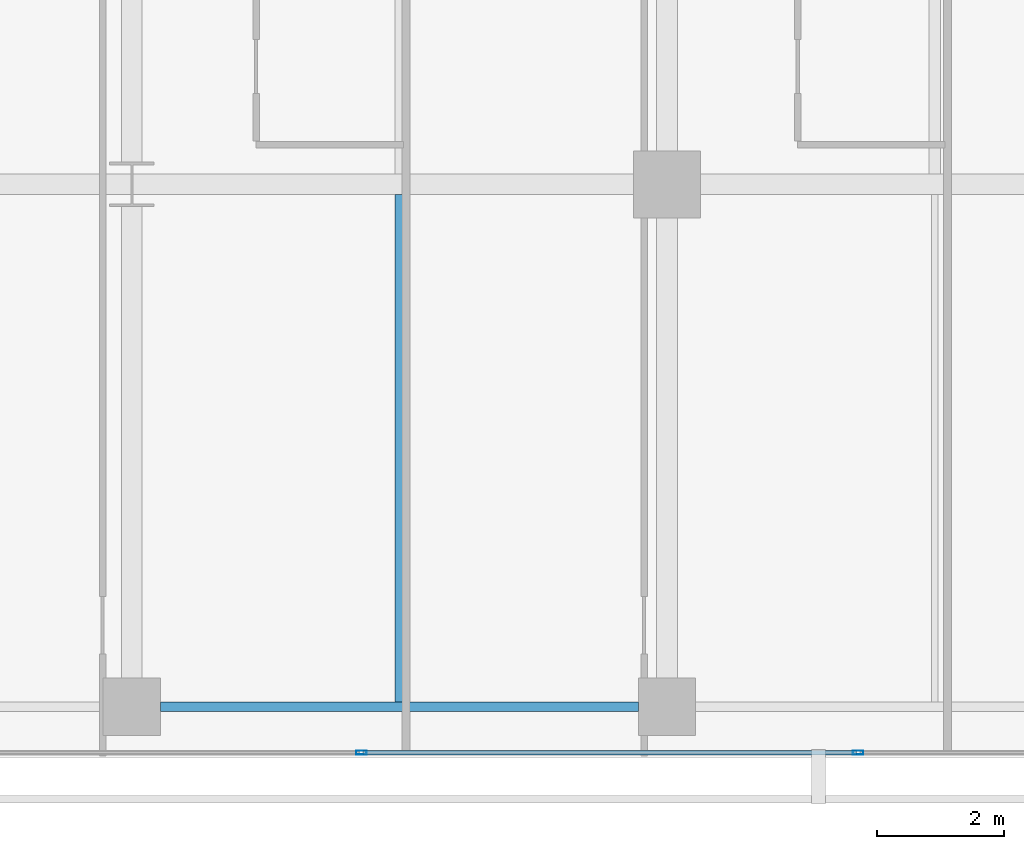
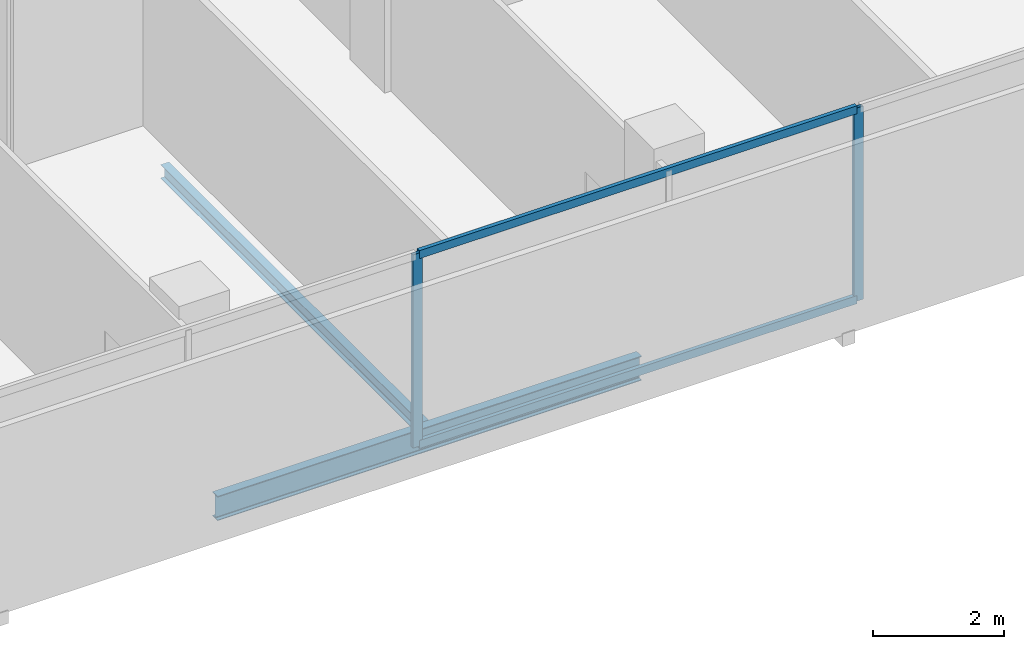
# One storey, part 14 of 40: 4 members, 2 beams, 1 element without a shape of its own.
"""IFC4 building model written with IfcOpenShell, lengths in metres."""

from ifc_helpers import new_model, si_unit, direction, frame, origin, origin_2d, place, context, subcontext, project, spatial, hollow_rectangle, i_section, extrude, material, layer, layer_set, material_profile, profile_set, type_object, element, aggregate, save


model = new_model("IFC4")

# Units and contexts
model_context = context("Model", 3, precision=1e-05, world=origin(), true_north=direction((0.0, 1.0)))
body_context = subcontext(model_context, "Body", "Model", "MODEL_VIEW")
ifc_project = project(units=[si_unit("LENGTHUNIT", "METRE"), si_unit("AREAUNIT", "SQUARE_METRE"), si_unit("VOLUMEUNIT", "CUBIC_METRE"), si_unit("PLANEANGLEUNIT", "RADIAN"), si_unit("MASSUNIT", "GRAM", prefix="KILO")], contexts=[model_context])

# Site, building, storey
site_placement = place(None, origin())
site = spatial("IfcSite", under=ifc_project, at=site_placement, CompositionType="ELEMENT")
building_placement = place(site_placement, origin())
building = spatial("IfcBuilding", under=site, at=building_placement, Name="Maruvema Waterfront Hotel and Observation Tower", CompositionType="ELEMENT")
storey_placement = place(building_placement, frame((0.0, 0.0, 96.25)))
storey = spatial("IfcBuildingStorey", under=building, at=storey_placement, Name="L23", CompositionType="ELEMENT", Elevation=96.25)

# Curtain wall, members
ifc_material_1 = material(Name="Anodised bronze aluminium and solar-control low-E IGU", Category="aluminium")
ifc_layer = layer(ifc_material_1, 0.159912109375, Name="Zone 1 Bronze Inner Thermal Curtain Wall System CW-02")
ifc_layer_set = layer_set([ifc_layer], Name="Anodised bronze aluminium and solar-control low-E IGU")
curtain_wall_type = type_object("IfcCurtainWallType", Name="Zone 1 Bronze Inner Thermal Curtain Wall System CW-02", PredefinedType="USERDEFINED", material=ifc_layer_set)
curtain_wall_placement = place(storey_placement, origin())
curtain_wall = element("IfcCurtainWall", 1, at=curtain_wall_placement, inside=storey, type_object=curtain_wall_type, Name="L23 Curtain Wall CW-L23-S", ObjectType="UNITISED CURTAIN WALL", PredefinedType="USERDEFINED")
ifc_material_2 = material(Name="Anodised architectural bronze aluminium", Category="aluminium")
ifc_material_profile_1 = material_profile(ifc_material_2, hollow_rectangle(XDim=0.070068359375, YDim=0.14990234375, WallThickness=0.00390625, at=origin_2d()), Name="ALU-T70x150")
ifc_profile_set_1 = profile_set([ifc_material_profile_1], Name="Anodised architectural bronze aluminium")
member_type_1 = type_object("IfcMemberType", Name="Curtain Wall Horizontal Transom ALU-T70x150", PredefinedType="USERDEFINED", material=ifc_profile_set_1)
member_1_placement = place(storey_placement, frame((45.6298828125, 0.080078125, 0.030029296875), z_axis=(1.0, 0.0, 0.0), x_axis=(0.0, 1.0, 0.0)))
member_1 = element("IfcMember", 2, at=member_1_placement, type_object=member_type_1, Name="CW-02 transom 5.1", ObjectType="TRANSOM", PredefinedType="USERDEFINED", context=body_context, shape_type="SweptSolid", body=[
    extrude(hollow_rectangle(XDim=0.070068359375, YDim=0.14990234375, WallThickness=0.00390625, at=origin_2d()), origin(), (0.0, 0.0, 1.0), 7.740234375),
])
member_2_placement = place(storey_placement, frame((45.6298828125, 0.080078125, 3.580078125), z_axis=(1.0, 0.0, 0.0), x_axis=(0.0, 1.0, 0.0)))
member_2 = element("IfcMember", 3, at=member_2_placement, type_object=member_type_1, Name="CW-02 transom 5.2", ObjectType="TRANSOM", PredefinedType="USERDEFINED", context=body_context, shape_type="SweptSolid", body=[
    extrude(hollow_rectangle(XDim=0.070068359375, YDim=0.14990234375, WallThickness=0.00390625, at=origin_2d()), origin(), (0.0, 0.0, 1.0), 7.740234375),
])
ifc_material_3 = material(Name="Anodised architectural bronze aluminium", Category="aluminium")
ifc_material_profile_2 = material_profile(ifc_material_3, hollow_rectangle(XDim=0.06494140625, YDim=0.1650390625, WallThickness=0.00390625, at=origin_2d()), Name="ALU-M65x165")
ifc_profile_set_2 = profile_set([ifc_material_profile_2], Name="Anodised architectural bronze aluminium")
member_type_2 = type_object("IfcMemberType", Name="Curtain Wall Primary Mullion ALU-M65x165", PredefinedType="MULLION", material=ifc_profile_set_2)
member_3_placement = place(storey_placement, frame((45.60009765625, 0.080078125, 0.0), z_axis=(0.0, 0.0, 1.0), x_axis=(0.0, 1.0, 0.0)))
member_3 = element("IfcMember", 4, at=member_3_placement, type_object=member_type_2, Name="CW-02 mullion 5", PredefinedType="MULLION", context=body_context, shape_type="SweptSolid", body=[
    extrude(hollow_rectangle(XDim=0.06494140625, YDim=0.1650390625, WallThickness=0.00390625, at=origin_2d()), origin(), (0.0, 0.0, 1.0), 3.610107421875),
])
member_4_placement = place(storey_placement, frame((53.39990234375, 0.080078125, 0.0), z_axis=(0.0, 0.0, 1.0), x_axis=(0.0, 1.0, 0.0)))
member_4 = element("IfcMember", 5, at=member_4_placement, type_object=member_type_2, Name="CW-02 mullion 6", PredefinedType="MULLION", context=body_context, shape_type="SweptSolid", body=[
    extrude(hollow_rectangle(XDim=0.06494140625, YDim=0.1650390625, WallThickness=0.00390625, at=origin_2d()), origin(), (0.0, 0.0, 1.0), 3.610107421875),
])
aggregate(curtain_wall, [member_3, member_4, member_1, member_2])

# Beams
ifc_material_4 = material(Name="Steel ASTM A572 Grade 50", Category="steel")
ifc_material_profile_3 = material_profile(ifc_material_4, i_section(OverallWidth=0.153076171875, OverallDepth=0.455078125, WebThickness=0.008056640625, FlangeThickness=0.01318359375, FilletRadius=0.014892578125, at=origin_2d()), Name="W460x60.0")
ifc_profile_set_3 = profile_set([ifc_material_profile_3], Name="Steel ASTM A572 Grade 50")
beam_type_1 = type_object("IfcBeamType", Name="Perimeter Spandrel Beam W460x60.0", PredefinedType="SPANDREL", material=ifc_profile_set_3)
beam_1_placement = place(storey_placement, frame((42.449951171875, 0.800048828125, -0.467529296875), z_axis=(1.0, 0.0, 0.0), x_axis=(0.0, 1.0, 0.0)))
element("IfcBeam", 6, at=beam_1_placement, inside=storey, type_object=beam_type_1, Name="L23 Floor Girder EW-04", PredefinedType="SPANDREL", context=body_context, shape_type="SweptSolid", body=[
    extrude(i_section(OverallWidth=0.153076171875, OverallDepth=0.455078125, WebThickness=0.008056640625, FlangeThickness=0.01318359375, FilletRadius=0.014892578125, at=origin_2d()), origin(), (0.0, 0.0, 1.0), 7.5),
])
ifc_material_5 = material(Name="Steel ASTM A572 Grade 50", Category="steel")
ifc_material_profile_4 = material_profile(ifc_material_5, i_section(OverallWidth=0.14599609375, OverallDepth=0.258056640625, WebThickness=0.006103515625, FlangeThickness=0.009033203125, FilletRadius=0.012939453125, at=origin_2d()), Name="W250x32.7")
ifc_profile_set_4 = profile_set([ifc_material_profile_4], Name="Steel ASTM A572 Grade 50")
beam_type_2 = type_object("IfcBeamType", Name="Secondary Floor Joist W250x32.7", PredefinedType="JOIST", material=ifc_profile_set_4)
beam_2_placement = place(storey_placement, frame((46.199951171875, 0.87646484375, -0.368896484375), z_axis=(0.0, 1.0, 0.0), x_axis=(-1.0, 0.0, 0.0)))
element("IfcBeam", 7, at=beam_2_placement, inside=storey, type_object=beam_type_2, Name="L23 Secondary Floor Joist JS-14", PredefinedType="JOIST", context=body_context, shape_type="SweptSolid", body=[
    extrude(i_section(OverallWidth=0.14599609375, OverallDepth=0.258056640625, WebThickness=0.006103515625, FlangeThickness=0.009033203125, FilletRadius=0.012939453125, at=origin_2d()), origin(), (0.0, 0.0, 1.0), 7.96142578125),
])

save(model, "model.ifc")
